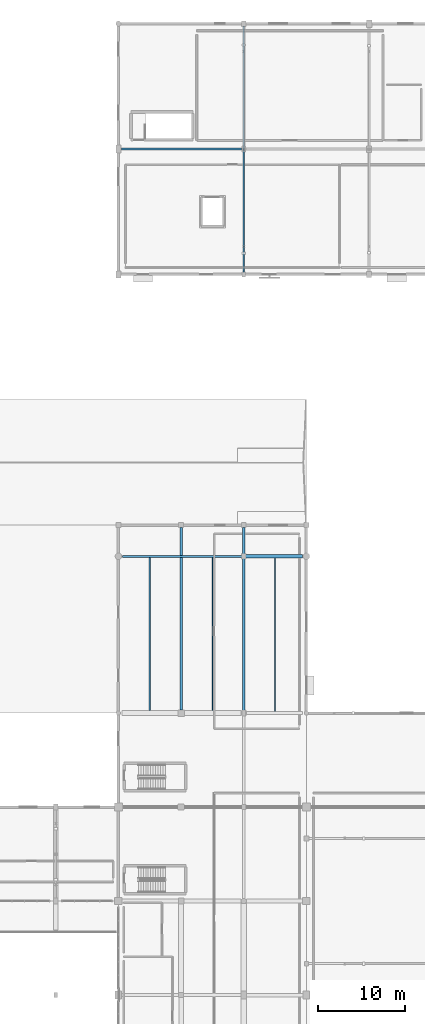
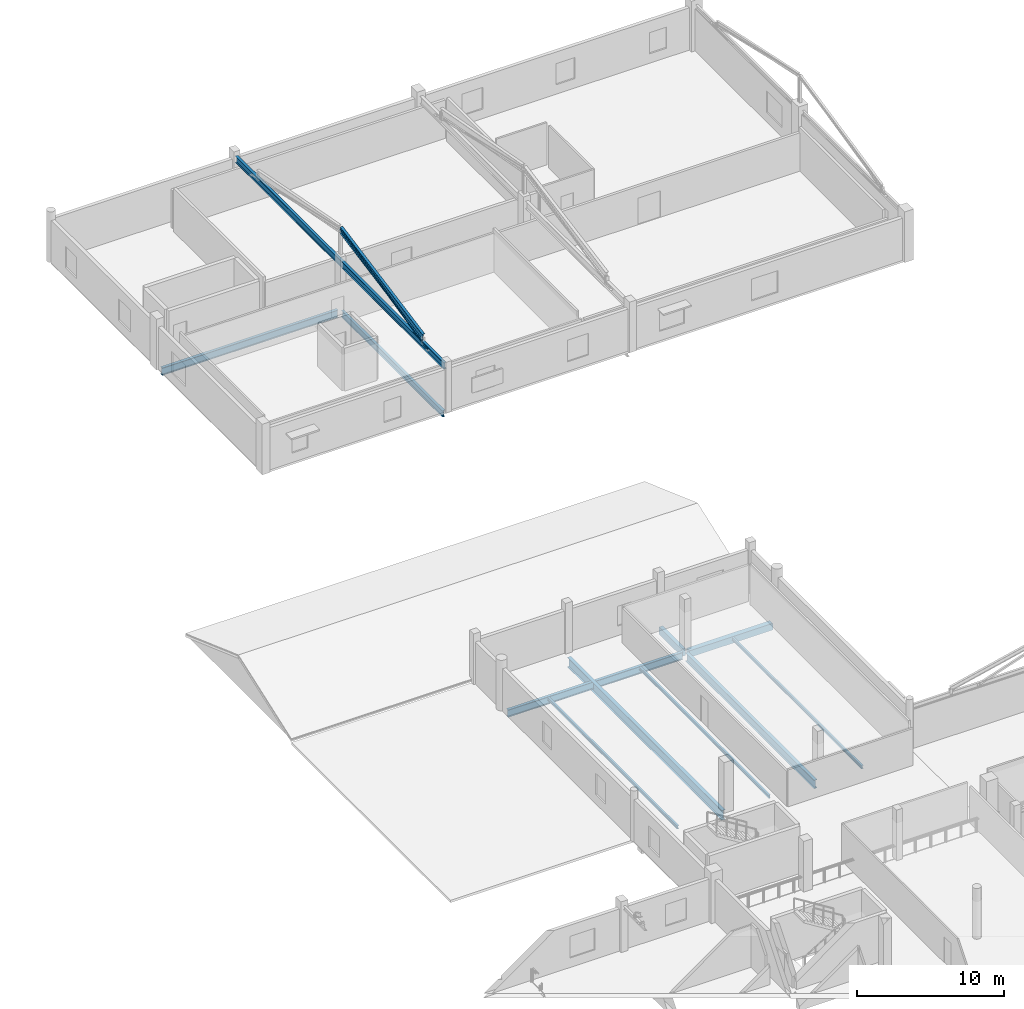
# One storey, part 39 of 92: 12 beams, 1 member.
"""IFC4 building model written with IfcOpenShell, lengths in metres."""

from ifc_helpers import new_model, si_unit, direction, frame, origin, origin_2d, place, context, subcontext, project, spatial, rectangle, hollow_rectangle, i_section, extrude, material, material_profile, profile_set, type_object, element, save


model = new_model("IFC4")

# Units and contexts
model_context = context("Model", 3, precision=1e-05, world=origin(), true_north=direction((0.0, 1.0)))
body_context = subcontext(model_context, "Body", "Model", "MODEL_VIEW")
ifc_project = project(units=[si_unit("LENGTHUNIT", "METRE"), si_unit("AREAUNIT", "SQUARE_METRE"), si_unit("VOLUMEUNIT", "CUBIC_METRE"), si_unit("PLANEANGLEUNIT", "RADIAN"), si_unit("MASSUNIT", "GRAM", prefix="KILO")], contexts=[model_context])

# Site, building, storey
site_placement = place(None, origin())
site = spatial("IfcSite", under=ifc_project, at=site_placement, CompositionType="ELEMENT")
building_placement = place(site_placement, origin())
building = spatial("IfcBuilding", under=site, at=building_placement, Name="Solanera Park Tramway Depot", CompositionType="ELEMENT")
storey_placement = place(building_placement, frame((0.0, 0.0, 4.800048828125)))
storey = spatial("IfcBuildingStorey", under=building, at=storey_placement, Name="L01", CompositionType="ELEMENT", Elevation=4.800048828125)

# Beams
ifc_material_1 = material(Name="Concrete N40 (C40/50)", Category="concrete")
ifc_material_profile_1 = material_profile(ifc_material_1, rectangle(XDim=0.300048828125, YDim=0.60009765625, at=origin_2d()), Name="RCB 300x600")
ifc_profile_set_1 = profile_set([ifc_material_profile_1], Name="Concrete N40 (C40/50)")
beam_type_1 = type_object("IfcBeamType", Name="RC Floor Beam RCB 300x600", PredefinedType="BEAM", material=ifc_profile_set_1)
beam_1_placement = place(storey_placement, frame((180.0, 83.02490234375, -0.5791015625), z_axis=(0.0, 1.0, 0.0), x_axis=(-1.0, 0.0, 0.0)))
element("IfcBeam", 1, at=beam_1_placement, inside=storey, type_object=beam_type_1, Name="L01 Primary Y-Girder RCB 300x600 #0079", PredefinedType="BEAM", context=body_context, shape_type="SweptSolid", body=[
    extrude(rectangle(XDim=0.300048828125, YDim=0.60009765625, at=origin_2d()), origin(), (0.0, 0.0, 1.0), 3.0751953125),
])
ifc_material_2 = material(Name="Concrete N40 (C40/50)", Category="concrete")
ifc_material_profile_2 = material_profile(ifc_material_2, rectangle(XDim=0.39990234375, YDim=0.550048828125, at=origin_2d()), Name="RCB 400x550")
ifc_profile_set_2 = profile_set([ifc_material_profile_2], Name="Concrete N40 (C40/50)")
beam_type_2 = type_object("IfcBeamType", Name="RC Floor Beam RCB 400x550", PredefinedType="BEAM", material=ifc_profile_set_2)
beam_2_placement = place(storey_placement, frame((180.22509765625, 82.800048828125, -0.553955078125), z_axis=(1.0, 0.0, 0.0), x_axis=(0.0, 1.0, 0.0)))
element("IfcBeam", 2, at=beam_2_placement, inside=storey, type_object=beam_type_2, Name="L01 Primary X-Girder RCB 400x550 #0038", PredefinedType="BEAM", context=body_context, shape_type="SweptSolid", body=[
    extrude(rectangle(XDim=0.39990234375, YDim=0.550048828125, at=origin_2d()), origin(), (0.0, 0.0, 1.0), 6.52490234375),
])
ifc_material_3 = material(Name="Steel AS/NZS 3679.1 Grade 350", Category="steel")
ifc_material_profile_3 = material_profile(ifc_material_3, i_section(OverallWidth=0.209228515625, OverallDepth=0.532958984375, WebThickness=0.01025390625, FlangeThickness=0.015625, at=origin_2d()), Name="530UB92.4")
ifc_profile_set_3 = profile_set([ifc_material_profile_3], Name="Steel AS/NZS 3679.1 Grade 350")
beam_type_3 = type_object("IfcBeamType", Name="Steel Beam 530UB92.4", PredefinedType="BEAM", material=ifc_profile_set_3)
beam_3_placement = place(storey_placement, frame((180.0, 115.60009765625, -0.545654296875), z_axis=(0.0, 1.0, 0.0), x_axis=(-1.0, 0.0, 0.0)))
element("IfcBeam", 3, at=beam_3_placement, inside=storey, type_object=beam_type_3, Name="L01 Primary Y-Girder 530UB92.4 #0080", PredefinedType="BEAM", context=body_context, shape_type="SweptSolid", body=[
    extrude(i_section(OverallWidth=0.209228515625, OverallDepth=0.532958984375, WebThickness=0.01025390625, FlangeThickness=0.015625, at=origin_2d()), origin(), (0.0, 0.0, 1.0), 13.75),
])
beam_4_placement = place(storey_placement, frame((180.0, 115.425048828125, 3.533447265625), z_axis=(0.0, 1.0, 0.0), x_axis=(-1.0, 0.0, 0.0)))
element("IfcBeam", 4, at=beam_4_placement, inside=storey, type_object=beam_type_3, Name="L01 Hip ROOF TRUSS Tie 530UB92.4 #1056", PredefinedType="BEAM", context=body_context, shape_type="SweptSolid", body=[
    extrude(i_section(OverallWidth=0.209228515625, OverallDepth=0.532958984375, WebThickness=0.01025390625, FlangeThickness=0.015625, at=origin_2d()), origin(), (0.0, 0.0, 1.0), 28.324951171875),
])
beam_5_placement = place(storey_placement, frame((180.0, 118.39990234375, 4.12646484375), z_axis=(0.0, 0.981970510915, 0.189034165415), x_axis=(-1.0, 0.0, 0.0)))
element("IfcBeam", 5, at=beam_5_placement, inside=storey, type_object=beam_type_3, Name="L01 Hip ROOF TRUSS Rafter 530UB92.4 #1057", PredefinedType="BEAM", context=body_context, shape_type="SweptSolid", body=[
    extrude(i_section(OverallWidth=0.209228515625, OverallDepth=0.532958984375, WebThickness=0.01025390625, FlangeThickness=0.015625, at=origin_2d()), origin(), (0.0, 0.0, 1.0), 11.3447265625),
])
ifc_material_4 = material(Name="Steel AS/NZS 3679.1 Grade 350", Category="steel")
ifc_material_profile_4 = material_profile(ifc_material_4, i_section(OverallWidth=0.22900390625, OverallDepth=0.611572265625, WebThickness=0.011962890625, FlangeThickness=0.01953125, at=origin_2d()), Name="610UB125")
ifc_profile_set_4 = profile_set([ifc_material_profile_4], Name="Steel AS/NZS 3679.1 Grade 350")
beam_type_4 = type_object("IfcBeamType", Name="Steel Beam 610UB125", PredefinedType="BEAM", material=ifc_profile_set_4)
beam_6_placement = place(storey_placement, frame((166.050048828125, 82.800048828125, -0.5849609375), z_axis=(1.0, 0.0, 0.0), x_axis=(0.0, 1.0, 0.0)))
element("IfcBeam", 6, at=beam_6_placement, inside=storey, type_object=beam_type_4, Name="L01 Primary X-Girder 610UB125 #0037", PredefinedType="BEAM", context=body_context, shape_type="SweptSolid", body=[
    extrude(i_section(OverallWidth=0.22900390625, OverallDepth=0.611572265625, WebThickness=0.011962890625, FlangeThickness=0.01953125, at=origin_2d()), origin(), (0.0, 0.0, 1.0), 13.724853515625),
])
beam_7_placement = place(storey_placement, frame((165.949951171875, 129.60009765625, -0.5849609375), z_axis=(1.0, 0.0, 0.0), x_axis=(0.0, 1.0, 0.0)))
element("IfcBeam", 7, at=beam_7_placement, inside=storey, type_object=beam_type_4, Name="L01 Primary X-Girder 610UB125 #0039", PredefinedType="BEAM", context=body_context, shape_type="SweptSolid", body=[
    extrude(i_section(OverallWidth=0.22900390625, OverallDepth=0.611572265625, WebThickness=0.011962890625, FlangeThickness=0.01953125, at=origin_2d()), origin(), (0.0, 0.0, 1.0), 13.800048828125),
])
ifc_material_5 = material(Name="Steel AS/NZS 3679.1 Grade 350", Category="steel")
ifc_material_profile_5 = material_profile(ifc_material_5, i_section(OverallWidth=0.25, OverallDepth=0.699951171875, WebThickness=0.010009765625, FlangeThickness=0.02001953125, at=origin_2d()), Name="700WB130")
ifc_profile_set_5 = profile_set([ifc_material_profile_5], Name="Steel AS/NZS 3679.1 Grade 350")
beam_type_5 = type_object("IfcBeamType", Name="Steel Beam 700WB130", PredefinedType="BEAM", material=ifc_profile_set_5)
beam_8_placement = place(storey_placement, frame((180.0, 65.10009765625, -0.629150390625), z_axis=(0.0, 1.0, 0.0), x_axis=(-1.0, 0.0, 0.0)))
element("IfcBeam", 8, at=beam_8_placement, inside=storey, type_object=beam_type_5, Name="L01 Primary Y-Girder 700WB130 #0078", PredefinedType="BEAM", context=body_context, shape_type="SweptSolid", body=[
    extrude(i_section(OverallWidth=0.25, OverallDepth=0.699951171875, WebThickness=0.010009765625, FlangeThickness=0.02001953125, at=origin_2d()), origin(), (0.0, 0.0, 1.0), 17.474853515625),
])
ifc_material_6 = material(Name="Steel AS/NZS 3679.1 Grade 350", Category="steel")
ifc_material_profile_6 = material_profile(ifc_material_6, i_section(OverallWidth=0.27490234375, OverallDepth=0.800048828125, WebThickness=0.010009765625, FlangeThickness=0.02001953125, at=origin_2d()), Name="800WB146")
ifc_profile_set_6 = profile_set([ifc_material_profile_6], Name="Steel AS/NZS 3679.1 Grade 350")
beam_type_6 = type_object("IfcBeamType", Name="Steel Beam 800WB146", PredefinedType="BEAM", material=ifc_profile_set_6)
beam_9_placement = place(storey_placement, frame((172.800048828125, 65.125, -0.678955078125), z_axis=(0.0, 1.0, 0.0), x_axis=(-1.0, 0.0, 0.0)))
element("IfcBeam", 9, at=beam_9_placement, inside=storey, type_object=beam_type_6, Name="L01 Primary Y-Girder 800WB146 #0071", PredefinedType="BEAM", context=body_context, shape_type="SweptSolid", body=[
    extrude(i_section(OverallWidth=0.27490234375, OverallDepth=0.800048828125, WebThickness=0.010009765625, FlangeThickness=0.02001953125, at=origin_2d()), origin(), (0.0, 0.0, 1.0), 20.97509765625),
])
ifc_material_7 = material(Name="Steel AS/NZS 3679.1 Grade 350", Category="steel")
ifc_material_profile_7 = material_profile(ifc_material_7, i_section(OverallWidth=0.146484375, OverallDepth=0.256103515625, WebThickness=0.00634765625, FlangeThickness=0.010986328125, at=origin_2d()), Name="250UB37.3")
ifc_profile_set_7 = profile_set([ifc_material_profile_7], Name="Steel AS/NZS 3679.1 Grade 350")
beam_type_7 = type_object("IfcBeamType", Name="Steel Joist Purlin 250UB37.3", PredefinedType="JOIST", material=ifc_profile_set_7)
beam_10_placement = place(storey_placement, frame((169.199951171875, 65.06689453125, -0.4072265625), z_axis=(0.0, 1.0, 0.0), x_axis=(-1.0, 0.0, 0.0)))
element("IfcBeam", 10, at=beam_10_placement, inside=storey, type_object=beam_type_7, Name="L01 Secondary Floor Joist 250UB37.3 #0088", PredefinedType="JOIST", context=body_context, shape_type="SweptSolid", body=[
    extrude(i_section(OverallWidth=0.146484375, OverallDepth=0.256103515625, WebThickness=0.00634765625, FlangeThickness=0.010986328125, at=origin_2d()), origin(), (0.0, 0.0, 1.0), 17.626708984375),
])
beam_11_placement = place(storey_placement, frame((176.39990234375, 65.092041015625, -0.4072265625), z_axis=(0.0, 1.0, 0.0), x_axis=(-1.0, 0.0, 0.0)))
element("IfcBeam", 11, at=beam_11_placement, inside=storey, type_object=beam_type_7, Name="L01 Secondary Floor Joist 250UB37.3 #0089", PredefinedType="JOIST", context=body_context, shape_type="SweptSolid", body=[
    extrude(i_section(OverallWidth=0.146484375, OverallDepth=0.256103515625, WebThickness=0.00634765625, FlangeThickness=0.010986328125, at=origin_2d()), origin(), (0.0, 0.0, 1.0), 17.6015625),
])
beam_12_placement = place(storey_placement, frame((183.60009765625, 64.967041015625, -0.4072265625), z_axis=(0.0, 1.0, 0.0), x_axis=(-1.0, 0.0, 0.0)))
element("IfcBeam", 12, at=beam_12_placement, inside=storey, type_object=beam_type_7, Name="L01 Secondary Floor Joist 250UB37.3 #0090", PredefinedType="JOIST", context=body_context, shape_type="SweptSolid", body=[
    extrude(i_section(OverallWidth=0.146484375, OverallDepth=0.256103515625, WebThickness=0.00634765625, FlangeThickness=0.010986328125, at=origin_2d()), origin(), (0.0, 0.0, 1.0), 17.640869140625),
])

# Member
ifc_material_8 = material(Name="Steel AS/NZS 1163 Grade C350L0", Category="steel")
ifc_material_profile_8 = material_profile(ifc_material_8, hollow_rectangle(XDim=0.14990234375, YDim=0.14990234375, WallThickness=0.006103515625, at=origin_2d()), Name="150x150x6.0 SHS")
ifc_profile_set_8 = profile_set([ifc_material_profile_8], Name="Steel AS/NZS 1163 Grade C350L0")
member_type = type_object("IfcMemberType", Name="Truss and Frame Brace 150x150x6.0 SHS", PredefinedType="BRACE", material=ifc_profile_set_8)
member_placement = place(storey_placement, frame((180.0, 117.625, 3.533447265625), z_axis=(0.0, 0.97485172191, 0.22285448232), x_axis=(-1.0, 0.0, 0.0)))
element("IfcMember", 13, at=member_placement, inside=storey, type_object=member_type, Name="Hip ROOF TRUSS Web #0445", PredefinedType="BRACE", context=body_context, shape_type="SweptSolid", body=[
    extrude(hollow_rectangle(XDim=0.14990234375, YDim=0.14990234375, WallThickness=0.006103515625, at=origin_2d()), origin(), (0.0, 0.0, 1.0), 12.283935546875),
])

save(model, "model.ifc")
